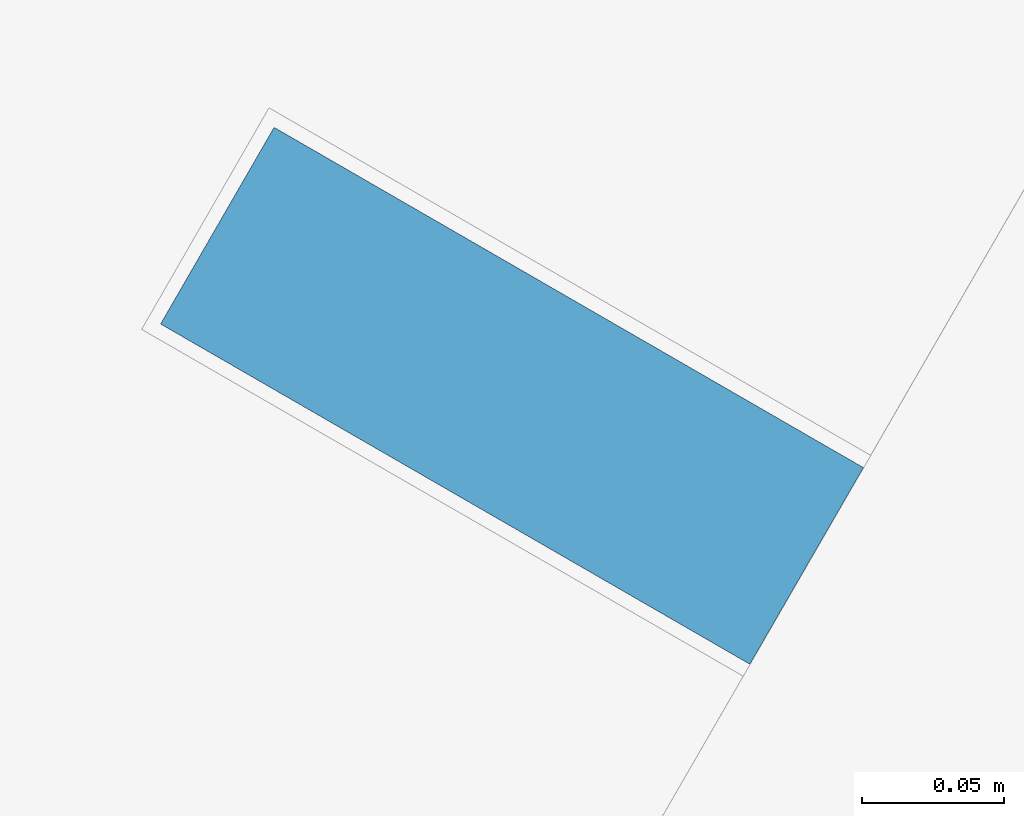
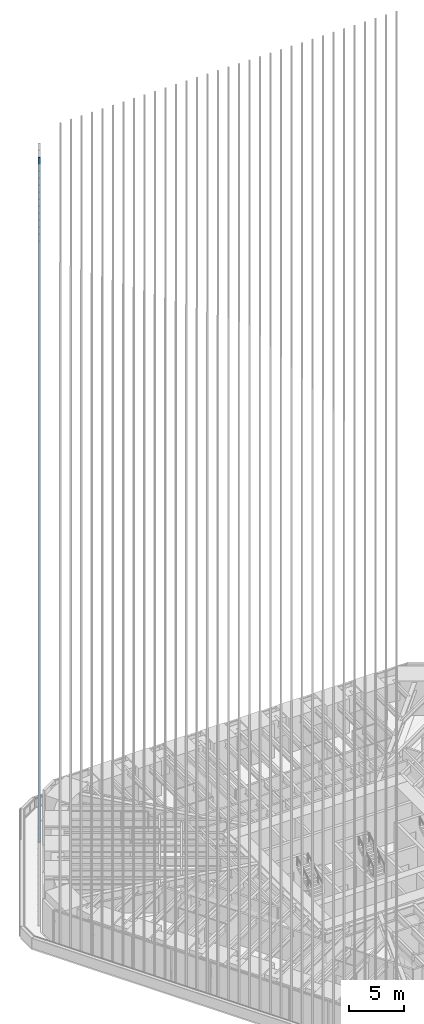
# One storey, part 143 of 238: 1 member, 1 element without a shape of its own.
"""IFC4 building model written with IfcOpenShell, lengths in metres."""

from ifc_helpers import new_model, si_unit, direction, frame, origin, origin_2d, place, context, subcontext, project, spatial, rectangle, extrude, material, material_profile, profile_set, type_object, element, aggregate, save


model = new_model("IFC4")

# Units and contexts
model_context = context("Model", 3, precision=1e-05, world=origin(), true_north=direction((0.0, 1.0)))
body_context = subcontext(model_context, "Body", "Model", "MODEL_VIEW")
ifc_project = project(units=[si_unit("LENGTHUNIT", "METRE"), si_unit("AREAUNIT", "SQUARE_METRE"), si_unit("VOLUMEUNIT", "CUBIC_METRE"), si_unit("PLANEANGLEUNIT", "RADIAN"), si_unit("MASSUNIT", "GRAM", prefix="KILO")], contexts=[model_context])

# Site, building, storey
site_placement = place(None, origin())
site = spatial("IfcSite", under=ifc_project, at=site_placement, CompositionType="ELEMENT")
building_placement = place(site_placement, origin())
building = spatial("IfcBuilding", under=site, at=building_placement, Name="Sandreach Pilgrim Tower", CompositionType="ELEMENT")
storey_placement = place(building_placement, frame((0.0, 0.0, 96.800048828125)))
storey = spatial("IfcBuildingStorey", under=building, at=storey_placement, Name="L23", CompositionType="ELEMENT", Elevation=96.800048828125)

# Curtain wall, member
ifc_material_1 = material(Name="Aluminium framed curtain wall", Category="aluminium")
curtain_wall_type = type_object("IfcCurtainWallType", Name="Hotel tower curtain wall", PredefinedType="NOTDEFINED", material=ifc_material_1)
curtain_wall_placement = place(storey_placement, origin())
curtain_wall = element("IfcCurtainWall", 1, at=curtain_wall_placement, inside=storey, type_object=curtain_wall_type, Name="CW-2 L23 NW", PredefinedType="NOTDEFINED")
ifc_material_2 = material(Name="Extruded terracotta on aluminium core", Category="masonry")
ifc_material_profile = material_profile(ifc_material_2, rectangle(XDim=0.080078125, YDim=0.239990234375, at=origin_2d()), Name="TBW 80X240")
ifc_profile_set = profile_set([ifc_material_profile], Name="Extruded terracotta on aluminium core")
member_type = type_object("IfcMemberType", Name="Terracotta baguette west", PredefinedType="USERDEFINED", material=ifc_profile_set)
member_placement = place(storey_placement, frame((-22.01220703125, 19.098388671875, 0.0), z_axis=(0.0, 0.0, 1.0), x_axis=(0.5, 0.866025403784, 0.0)))
member = element("IfcMember", 2, at=member_placement, type_object=member_type, Name="Baguette Z2 NW13", ObjectType="BAGUETTE", PredefinedType="USERDEFINED", context=body_context, shape_type="SweptSolid", body=[
    extrude(rectangle(XDim=0.080078125, YDim=0.239990234375, at=origin_2d()), origin(), (0.0, 0.0, 1.0), 75.83984375),
])
aggregate(curtain_wall, [member])

save(model, "model.ifc")
